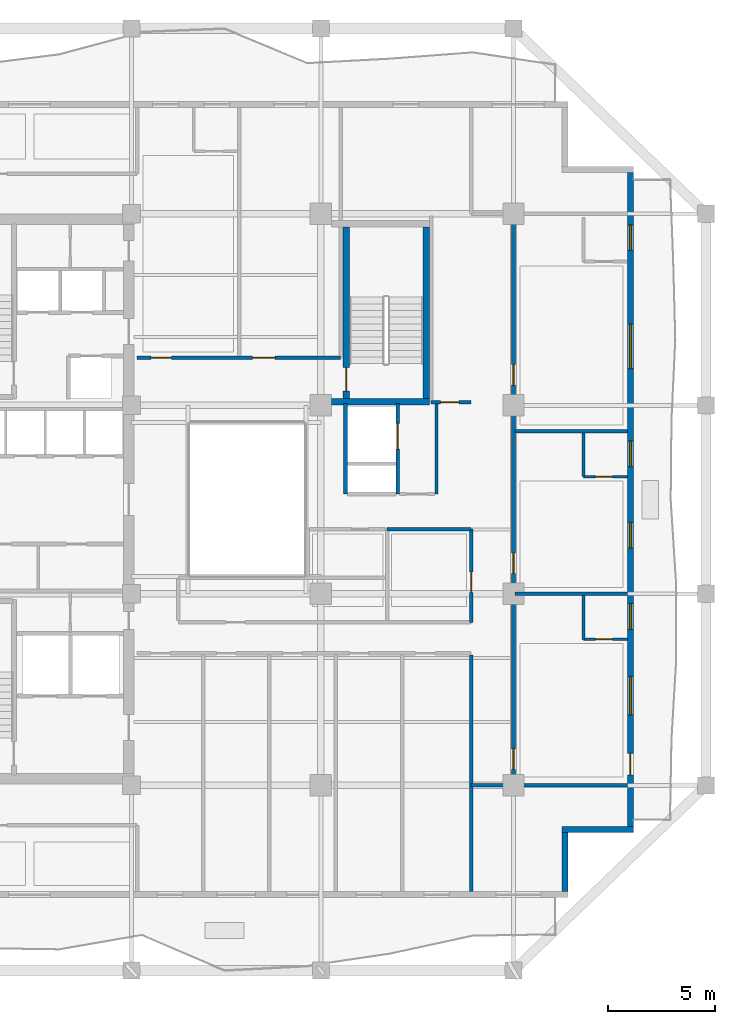
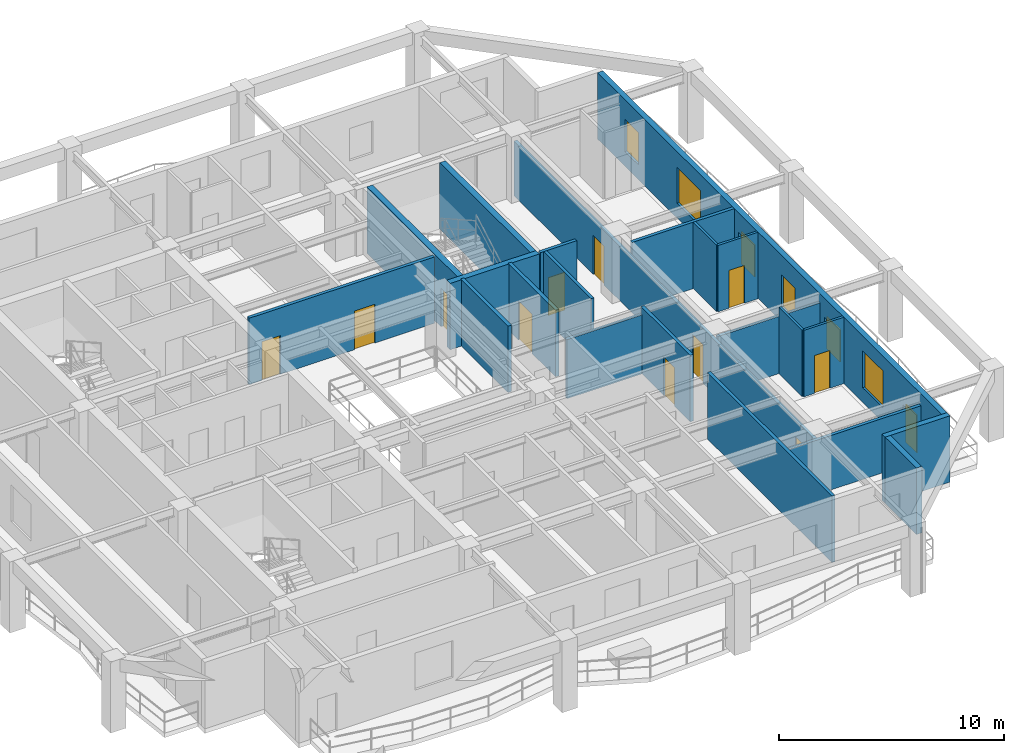
# One storey, part 5 of 11: 22 walls, 12 doors, 6 windows, 18 openings.
"""IFC4 building model written with IfcOpenShell, lengths in metres."""

from ifc_helpers import new_model, si_unit, direction, frame, frame_2d, origin, place, context, subcontext, project, spatial, rectangle, extrude, material, layer, layer_set, type_object, element, fill, save


model = new_model("IFC4")

# Units and contexts
model_context = context("Model", 3, precision=1e-05, world=origin(), true_north=direction((0.0, 1.0)))
body_context = subcontext(model_context, "Body", "Model", "MODEL_VIEW")
ifc_project = project(units=[si_unit("LENGTHUNIT", "METRE"), si_unit("AREAUNIT", "SQUARE_METRE"), si_unit("VOLUMEUNIT", "CUBIC_METRE"), si_unit("PLANEANGLEUNIT", "RADIAN"), si_unit("MASSUNIT", "GRAM", prefix="KILO")], contexts=[model_context])

# Site, building, storey
site_placement = place(None, origin())
site = spatial("IfcSite", under=ifc_project, at=site_placement, CompositionType="ELEMENT")
building_placement = place(site_placement, origin())
building = spatial("IfcBuilding", under=site, at=building_placement, Name="Kundavana Baori Tower", CompositionType="ELEMENT")
storey_placement = place(building_placement, frame((0.0, 0.0, 142.5)))
storey = spatial("IfcBuildingStorey", under=building, at=storey_placement, Name="L34", CompositionType="ELEMENT", Elevation=142.5)

# Walls
ifc_material_1 = material(Name="Red-Buff Dholpur Sandstone Cladding on Concrete C40/50", Category="masonry")
ifc_layer_1 = layer(ifc_material_1, 0.280029296875, Name="WL-EXT-SAND-280")
ifc_layer_set_1 = layer_set([ifc_layer_1], Name="Red-Buff Dholpur Sandstone Cladding on Concrete C40/50")
wall_type_1 = type_object("IfcWallType", Name="WL-EXT-SAND-280", PredefinedType="STANDARD", material=ifc_layer_set_1)
wall_1_placement = place(storey_placement, frame((45.2099609375, 10.280029296875, 0.0), z_axis=(0.0, 0.0, 1.0), x_axis=(0.0, 1.0, 0.0)))
element("IfcWall", 1, at=wall_1_placement, inside=storey, type_object=wall_type_1, Name="L34 Exterior Insulated Facade Wall 02", PredefinedType="STANDARD", context=body_context, shape_type="SweptSolid", body=[
    extrude(rectangle(XDim=2.77001953125, YDim=0.280029296875, at=frame_2d((1.385009765625, 0.0))), origin(), (0.0, 0.0, 1.0), 3.60009765625),
])
wall_2_placement = place(storey_placement, frame((45.070068359375, 13.18994140625, 0.0), z_axis=(0.0, 0.0, 1.0), x_axis=(1.0, 0.0, 0.0)))
element("IfcWall", 2, at=wall_2_placement, inside=storey, type_object=wall_type_1, Name="L34 Exterior Insulated Facade Wall 03", PredefinedType="STANDARD", context=body_context, shape_type="SweptSolid", body=[
    extrude(rectangle(XDim=3.329833984375, YDim=0.280029296875, at=frame_2d((1.6650390625, 0.0))), origin(), (0.0, 0.0, 1.0), 3.60009765625),
])

# Wall, openings, door, windows
wall_3_placement = place(storey_placement, frame((48.260009765625, 13.330078125, 0.0), z_axis=(0.0, 0.0, 1.0), x_axis=(0.0, 1.0, 0.0)))
wall_3 = element("IfcWall", 3, at=wall_3_placement, inside=storey, type_object=wall_type_1, Name="L34 Exterior Insulated Facade Wall 04", PredefinedType="STANDARD", context=body_context, shape_type="SweptSolid", body=[
    extrude(rectangle(XDim=30.5400390625, YDim=0.280029296875, at=frame_2d((15.27001953125, 0.0))), origin(), (0.0, 0.0, 1.0), 3.60009765625),
])
opening_1_placement = place(wall_3_placement, frame((2.409912109375, 0.0, 0.0)))
opening_1 = element("IfcOpeningElement", 4, at=opening_1_placement, cuts=wall_3, Name="Opening BD-1", PredefinedType="OPENING", context=body_context, shape_type="SweptSolid", body=[
    extrude(rectangle(XDim=1.0, YDim=2.050048828125, at=frame_2d((0.5, 1.02490234375))), frame((0.0, 0.14990234375, 0.0), z_axis=(0.0, -1.0, 0.0), x_axis=(1.0, 0.0, 0.0)), (0.0, 0.0, 1.0), 0.300048828125),
])
opening_2_placement = place(wall_3_placement, frame((5.205078125, 0.0, 0.800048828125)))
opening_2 = element("IfcOpeningElement", 5, at=opening_2_placement, cuts=wall_3, Name="Opening W-01", PredefinedType="OPENING", context=body_context, shape_type="SweptSolid", body=[
    extrude(rectangle(XDim=1.800048828125, YDim=2.0, at=frame_2d((0.89990234375, 1.0))), frame((0.0, 0.14990234375, 0.0), z_axis=(0.0, -1.0, 0.0), x_axis=(1.0, 0.0, 0.0)), (0.0, 0.0, 1.0), 0.300048828125),
])
opening_3_placement = place(wall_3_placement, frame((9.205078125, 0.0, 0.800048828125)))
opening_3 = element("IfcOpeningElement", 6, at=opening_3_placement, cuts=wall_3, Name="Opening W-03", PredefinedType="OPENING", context=body_context, shape_type="SweptSolid", body=[
    extrude(rectangle(XDim=1.199951171875, YDim=1.75, at=frame_2d((0.60009765625, 0.875))), frame((0.0, 0.14990234375, 0.0), z_axis=(0.0, -1.0, 0.0), x_axis=(1.0, 0.0, 0.0)), (0.0, 0.0, 1.0), 0.300048828125),
])
opening_4_placement = place(wall_3_placement, frame((13.0048828125, 0.0, 0.800048828125)))
opening_4 = element("IfcOpeningElement", 7, at=opening_4_placement, cuts=wall_3, Name="Opening W-03", PredefinedType="OPENING", context=body_context, shape_type="SweptSolid", body=[
    extrude(rectangle(XDim=1.199951171875, YDim=1.75, at=frame_2d((0.60009765625, 0.875))), frame((0.0, 0.14990234375, 0.0), z_axis=(0.0, -1.0, 0.0), x_axis=(1.0, 0.0, 0.0)), (0.0, 0.0, 1.0), 0.300048828125),
])
opening_5_placement = place(wall_3_placement, frame((16.804931640625, 0.0, 0.800048828125)))
opening_5 = element("IfcOpeningElement", 8, at=opening_5_placement, cuts=wall_3, Name="Opening W-03", PredefinedType="OPENING", context=body_context, shape_type="SweptSolid", body=[
    extrude(rectangle(XDim=1.199951171875, YDim=1.75, at=frame_2d((0.60009765625, 0.875))), frame((0.0, 0.14990234375, 0.0), z_axis=(0.0, -1.0, 0.0), x_axis=(1.0, 0.0, 0.0)), (0.0, 0.0, 1.0), 0.300048828125),
])
opening_6_placement = place(wall_3_placement, frame((21.3798828125, 0.0, 0.800048828125)))
opening_6 = element("IfcOpeningElement", 9, at=opening_6_placement, cuts=wall_3, Name="Opening W-05", PredefinedType="OPENING", context=body_context, shape_type="SweptSolid", body=[
    extrude(rectangle(XDim=2.10009765625, YDim=1.949951171875, at=frame_2d((1.050048828125, 0.97509765625))), frame((0.0, 0.14990234375, 0.0), z_axis=(0.0, -1.0, 0.0), x_axis=(1.0, 0.0, 0.0)), (0.0, 0.0, 1.0), 0.300048828125),
])
opening_7_placement = place(wall_3_placement, frame((26.905029296875, 0.0, 0.800048828125)))
opening_7 = element("IfcOpeningElement", 10, at=opening_7_placement, cuts=wall_3, Name="Opening W-03", PredefinedType="OPENING", context=body_context, shape_type="SweptSolid", body=[
    extrude(rectangle(XDim=1.199951171875, YDim=1.75, at=frame_2d((0.60009765625, 0.875))), frame((0.0, 0.14990234375, 0.0), z_axis=(0.0, -1.0, 0.0), x_axis=(1.0, 0.0, 0.0)), (0.0, 0.0, 1.0), 0.300048828125),
])
ifc_material_2 = material(Name="Architectural Patinated Bronze Metalwork")
door_type_1 = type_object("IfcDoorType", Name="DR-EXT-LOG-1000", OperationType="NOTDEFINED", PredefinedType="DOOR", material=ifc_material_2)
door_1_placement = place(opening_1_placement, frame((1.0, 0.0, 0.0), z_axis=(0.0, 0.0, 1.0), x_axis=(-1.0, 0.0, 0.0)))
door_1 = element("IfcDoor", 11, at=door_1_placement, inside=storey, type_object=door_type_1, Name="L34 Loggia Balcony Access Door E", OperationType="SINGLE_SWING_RIGHT", OverallHeight=2.050048828125, OverallWidth=1.0, PredefinedType="DOOR", context=body_context, shape_type="SweptSolid", body=[
    extrude(rectangle(XDim=1.0, YDim=2.050048828125, at=frame_2d((0.5, 1.02490234375))), frame((0.0, 0.02490234375, 0.0), z_axis=(0.0, -1.0, 0.0), x_axis=(1.0, 0.0, 0.0)), (0.0, 0.0, 1.0), 0.050048828125),
])
fill(opening_1, door_1)
ifc_material_3 = material(Name="Double-Glazed Solar-Control Low-E Insulated Glass", Category="glass")
window_type_1 = type_object("IfcWindowType", Name="WIN-LOG-1200x1750", PartitioningType="SINGLE_PANEL", PredefinedType="WINDOW", material=ifc_material_3)
window_1_placement = place(opening_3_placement, origin())
window_1 = element("IfcWindow", 12, at=window_1_placement, inside=storey, type_object=window_type_1, Name="L34 Recessed Loggia Window E-2", OverallHeight=1.75, OverallWidth=1.199951171875, PartitioningType="SINGLE_PANEL", PredefinedType="WINDOW", context=body_context, shape_type="SweptSolid", body=[
    extrude(rectangle(XDim=1.199951171875, YDim=1.75, at=frame_2d((0.60009765625, 0.875))), frame((0.0, 0.030029296875, 0.0), z_axis=(0.0, -1.0, 0.0), x_axis=(1.0, 0.0, 0.0)), (0.0, 0.0, 1.0), 0.06005859375),
])
fill(opening_3, window_1)
window_2_placement = place(opening_4_placement, origin())
window_2 = element("IfcWindow", 13, at=window_2_placement, inside=storey, type_object=window_type_1, Name="L34 Recessed Loggia Window E-3", OverallHeight=1.75, OverallWidth=1.199951171875, PartitioningType="SINGLE_PANEL", PredefinedType="WINDOW", context=body_context, shape_type="SweptSolid", body=[
    extrude(rectangle(XDim=1.199951171875, YDim=1.75, at=frame_2d((0.60009765625, 0.875))), frame((0.0, 0.030029296875, 0.0), z_axis=(0.0, -1.0, 0.0), x_axis=(1.0, 0.0, 0.0)), (0.0, 0.0, 1.0), 0.06005859375),
])
fill(opening_4, window_2)
window_3_placement = place(opening_5_placement, origin())
window_3 = element("IfcWindow", 14, at=window_3_placement, inside=storey, type_object=window_type_1, Name="L34 Recessed Loggia Window E-4", OverallHeight=1.75, OverallWidth=1.199951171875, PartitioningType="SINGLE_PANEL", PredefinedType="WINDOW", context=body_context, shape_type="SweptSolid", body=[
    extrude(rectangle(XDim=1.199951171875, YDim=1.75, at=frame_2d((0.60009765625, 0.875))), frame((0.0, 0.030029296875, 0.0), z_axis=(0.0, -1.0, 0.0), x_axis=(1.0, 0.0, 0.0)), (0.0, 0.0, 1.0), 0.06005859375),
])
fill(opening_5, window_3)
window_4_placement = place(opening_7_placement, origin())
window_4 = element("IfcWindow", 15, at=window_4_placement, inside=storey, type_object=window_type_1, Name="L34 Recessed Loggia Window E-6", OverallHeight=1.75, OverallWidth=1.199951171875, PartitioningType="SINGLE_PANEL", PredefinedType="WINDOW", context=body_context, shape_type="SweptSolid", body=[
    extrude(rectangle(XDim=1.199951171875, YDim=1.75, at=frame_2d((0.60009765625, 0.875))), frame((0.0, 0.030029296875, 0.0), z_axis=(0.0, -1.0, 0.0), x_axis=(1.0, 0.0, 0.0)), (0.0, 0.0, 1.0), 0.06005859375),
])
fill(opening_7, window_4)
ifc_material_4 = material(Name="Double-Glazed Solar-Control Low-E Insulated Glass", Category="glass")
window_type_2 = type_object("IfcWindowType", Name="WIN-LOG-1800x2000", PartitioningType="SINGLE_PANEL", PredefinedType="WINDOW", material=ifc_material_4)
window_5_placement = place(opening_2_placement, origin())
window_5 = element("IfcWindow", 16, at=window_5_placement, inside=storey, type_object=window_type_2, Name="L34 Recessed Loggia Window E-1", OverallHeight=2.0, OverallWidth=1.800048828125, PartitioningType="SINGLE_PANEL", PredefinedType="WINDOW", context=body_context, shape_type="SweptSolid", body=[
    extrude(rectangle(XDim=1.800048828125, YDim=2.0, at=frame_2d((0.89990234375, 1.0))), frame((0.0, 0.030029296875, 0.0), z_axis=(0.0, -1.0, 0.0), x_axis=(1.0, 0.0, 0.0)), (0.0, 0.0, 1.0), 0.06005859375),
])
fill(opening_2, window_5)
ifc_material_5 = material(Name="Double-Glazed Solar-Control Low-E Insulated Glass", Category="glass")
window_type_3 = type_object("IfcWindowType", Name="WIN-LOG-2100x1950", PartitioningType="SINGLE_PANEL", PredefinedType="WINDOW", material=ifc_material_5)
window_6_placement = place(opening_6_placement, origin())
window_6 = element("IfcWindow", 17, at=window_6_placement, inside=storey, type_object=window_type_3, Name="L34 Recessed Loggia Window E-5", OverallHeight=1.949951171875, OverallWidth=2.10009765625, PartitioningType="SINGLE_PANEL", PredefinedType="WINDOW", context=body_context, shape_type="SweptSolid", body=[
    extrude(rectangle(XDim=2.10009765625, YDim=1.949951171875, at=frame_2d((1.050048828125, 0.97509765625))), frame((0.0, 0.030029296875, 0.0), z_axis=(0.0, -1.0, 0.0), x_axis=(1.0, 0.0, 0.0)), (0.0, 0.0, 1.0), 0.06005859375),
])
fill(opening_6, window_6)

# Wall
ifc_material_6 = material(Name="Fire-Rated Gypsum Drywall on Galvanised Steel Studs", Category="steel")
ifc_layer_2 = layer(ifc_material_6, 0.14990234375, Name="WL-PART-150")
ifc_layer_set_2 = layer_set([ifc_layer_2], Name="Fire-Rated Gypsum Drywall on Galvanised Steel Studs")
wall_type_2 = type_object("IfcWallType", Name="WL-PART-150", PredefinedType="PARTITIONING", material=ifc_layer_set_2)
wall_4_placement = place(storey_placement, frame((39.199951171875, 28.860107421875, 0.0), z_axis=(0.0, 0.0, 1.0), x_axis=(0.0, 1.0, 0.0)))
element("IfcWall", 18, at=wall_4_placement, inside=storey, type_object=wall_type_2, Name="WL-L34-SVLOB-E", PredefinedType="PARTITIONING", context=body_context, shape_type="SweptSolid", body=[
    extrude(rectangle(XDim=4.219970703125, YDim=0.14990234375, at=frame_2d((2.10986328125, 0.0))), origin(), (0.0, 0.0, 1.0), 3.60009765625),
])

# Wall, openings, doors
ifc_material_7 = material(Name="Fire-Rated Gypsum Drywall on Galvanised Steel Studs", Category="steel")
ifc_layer_3 = layer(ifc_material_7, 0.1650390625, Name="WL-PART-165")
ifc_layer_set_3 = layer_set([ifc_layer_3], Name="Fire-Rated Gypsum Drywall on Galvanised Steel Studs")
wall_type_3 = type_object("IfcWallType", Name="WL-PART-165", PredefinedType="PARTITIONING", material=ifc_layer_set_3)
wall_5_placement = place(storey_placement, frame((25.219970703125, 35.219970703125, 0.0), z_axis=(0.0, 0.0, 1.0), x_axis=(1.0, 0.0, 0.0)))
wall_5 = element("IfcWall", 19, at=wall_5_placement, inside=storey, type_object=wall_type_3, Name="WL-L34-HN", PredefinedType="PARTITIONING", context=body_context, shape_type="SweptSolid", body=[
    extrude(rectangle(XDim=9.5, YDim=0.1650390625, at=frame_2d((4.75, 0.0))), origin(), (0.0, 0.0, 1.0), 3.60009765625),
])
opening_8_placement = place(wall_5_placement, frame((0.64990234375, 0.0, 0.0)))
opening_8 = element("IfcOpeningElement", 20, at=opening_8_placement, cuts=wall_5, Name="Opening FD-095", PredefinedType="OPENING", context=body_context, shape_type="SweptSolid", body=[
    extrude(rectangle(XDim=0.949951171875, YDim=2.10009765625, at=frame_2d((0.47509765625, 1.050048828125))), frame((0.0, 0.092529296875, 0.0), z_axis=(0.0, -1.0, 0.0), x_axis=(1.0, 0.0, 0.0)), (0.0, 0.0, 1.0), 0.18505859375),
])
opening_9_placement = place(wall_5_placement, frame((5.39990234375, 0.0, 0.0)))
opening_9 = element("IfcOpeningElement", 21, at=opening_9_placement, cuts=wall_5, Name="Opening ID-105", PredefinedType="OPENING", context=body_context, shape_type="SweptSolid", body=[
    extrude(rectangle(XDim=1.050048828125, YDim=2.10009765625, at=frame_2d((0.52490234375, 1.050048828125))), frame((0.0, 0.092529296875, 0.0), z_axis=(0.0, -1.0, 0.0), x_axis=(1.0, 0.0, 0.0)), (0.0, 0.0, 1.0), 0.18505859375),
])
ifc_material_8 = material(Name="Engineered Teak Fire-Rated Timber Door Leaf", Category="wood")
door_type_2 = type_object("IfcDoorType", Name="DR-FD60-950", OperationType="NOTDEFINED", PredefinedType="DOOR", material=ifc_material_8)
door_2_placement = place(opening_8_placement, origin())
door_2 = element("IfcDoor", 22, at=door_2_placement, inside=storey, type_object=door_type_2, Name="DR-L34-HK-N1-ENT", OperationType="SINGLE_SWING_LEFT", OverallHeight=2.10009765625, OverallWidth=0.949951171875, PredefinedType="DOOR", context=body_context, shape_type="SweptSolid", body=[
    extrude(rectangle(XDim=0.949951171875, YDim=2.10009765625, at=frame_2d((0.47509765625, 1.050048828125))), frame((0.0, 0.02490234375, 0.0), z_axis=(0.0, -1.0, 0.0), x_axis=(1.0, 0.0, 0.0)), (0.0, 0.0, 1.0), 0.050048828125),
])
fill(opening_8, door_2)
ifc_material_9 = material(Name="Engineered Teak Solid-Core Timber Veneer", Category="wood")
door_type_3 = type_object("IfcDoorType", Name="DR-INT-1050", OperationType="NOTDEFINED", PredefinedType="DOOR", material=ifc_material_9)
door_3_placement = place(opening_9_placement, origin())
door_3 = element("IfcDoor", 23, at=door_3_placement, inside=storey, type_object=door_type_3, Name="DR-L34-HLNG", OperationType="SINGLE_SWING_RIGHT", OverallHeight=2.10009765625, OverallWidth=1.050048828125, PredefinedType="DOOR", context=body_context, shape_type="SweptSolid", body=[
    extrude(rectangle(XDim=1.050048828125, YDim=2.10009765625, at=frame_2d((0.52490234375, 1.050048828125))), frame((0.0, 0.02490234375, 0.0), z_axis=(0.0, -1.0, 0.0), x_axis=(1.0, 0.0, 0.0)), (0.0, 0.0, 1.0), 0.050048828125),
])
fill(opening_9, door_3)

wall_6_placement = place(storey_placement, frame((42.800048828125, 15.25, 0.0), z_axis=(0.0, 0.0, 1.0), x_axis=(0.0, 1.0, 0.0)))
wall_6 = element("IfcWall", 24, at=wall_6_placement, inside=storey, type_object=wall_type_3, Name="WL-L34-HE", PredefinedType="PARTITIONING", context=body_context, shape_type="SweptSolid", body=[
    extrude(rectangle(XDim=26.699951171875, YDim=0.1650390625, at=frame_2d((13.35009765625, 0.0))), origin(), (0.0, 0.0, 1.0), 2.949951171875),
])
opening_10_placement = place(wall_6_placement, frame((0.75, 0.0, 0.0)))
opening_10 = element("IfcOpeningElement", 25, at=opening_10_placement, cuts=wall_6, Name="Opening FD-095", PredefinedType="OPENING", context=body_context, shape_type="SweptSolid", body=[
    extrude(rectangle(XDim=0.949951171875, YDim=2.10009765625, at=frame_2d((0.47509765625, 1.050048828125))), frame((0.0, 0.092529296875, 0.0), z_axis=(0.0, -1.0, 0.0), x_axis=(1.0, 0.0, 0.0)), (0.0, 0.0, 1.0), 0.18505859375),
])
opening_11_placement = place(wall_6_placement, frame((9.89990234375, 0.0, 0.0)))
opening_11 = element("IfcOpeningElement", 26, at=opening_11_placement, cuts=wall_6, Name="Opening FD-095", PredefinedType="OPENING", context=body_context, shape_type="SweptSolid", body=[
    extrude(rectangle(XDim=0.949951171875, YDim=2.10009765625, at=frame_2d((0.47509765625, 1.050048828125))), frame((0.0, 0.092529296875, 0.0), z_axis=(0.0, -1.0, 0.0), x_axis=(1.0, 0.0, 0.0)), (0.0, 0.0, 1.0), 0.18505859375),
])
opening_12_placement = place(wall_6_placement, frame((18.699951171875, 0.0, 0.0)))
opening_12 = element("IfcOpeningElement", 27, at=opening_12_placement, cuts=wall_6, Name="Opening FD-095", PredefinedType="OPENING", context=body_context, shape_type="SweptSolid", body=[
    extrude(rectangle(XDim=0.949951171875, YDim=2.10009765625, at=frame_2d((0.47509765625, 1.050048828125))), frame((0.0, 0.092529296875, 0.0), z_axis=(0.0, -1.0, 0.0), x_axis=(1.0, 0.0, 0.0)), (0.0, 0.0, 1.0), 0.18505859375),
])
door_4_placement = place(opening_10_placement, origin())
door_4 = element("IfcDoor", 28, at=door_4_placement, inside=storey, type_object=door_type_2, Name="DR-L34-HK-E1-ENT", OperationType="SINGLE_SWING_LEFT", OverallHeight=2.10009765625, OverallWidth=0.949951171875, PredefinedType="DOOR", context=body_context, shape_type="SweptSolid", body=[
    extrude(rectangle(XDim=0.949951171875, YDim=2.10009765625, at=frame_2d((0.47509765625, 1.050048828125))), frame((0.0, 0.02490234375, 0.0), z_axis=(0.0, -1.0, 0.0), x_axis=(1.0, 0.0, 0.0)), (0.0, 0.0, 1.0), 0.050048828125),
])
fill(opening_10, door_4)
door_5_placement = place(opening_11_placement, origin())
door_5 = element("IfcDoor", 29, at=door_5_placement, inside=storey, type_object=door_type_2, Name="DR-L34-HK-E2-ENT", OperationType="SINGLE_SWING_LEFT", OverallHeight=2.10009765625, OverallWidth=0.949951171875, PredefinedType="DOOR", context=body_context, shape_type="SweptSolid", body=[
    extrude(rectangle(XDim=0.949951171875, YDim=2.10009765625, at=frame_2d((0.47509765625, 1.050048828125))), frame((0.0, 0.02490234375, 0.0), z_axis=(0.0, -1.0, 0.0), x_axis=(1.0, 0.0, 0.0)), (0.0, 0.0, 1.0), 0.050048828125),
])
fill(opening_11, door_5)
door_6_placement = place(opening_12_placement, origin())
door_6 = element("IfcDoor", 30, at=door_6_placement, inside=storey, type_object=door_type_2, Name="DR-L34-HK-E3-ENT", OperationType="SINGLE_SWING_LEFT", OverallHeight=2.10009765625, OverallWidth=0.949951171875, PredefinedType="DOOR", context=body_context, shape_type="SweptSolid", body=[
    extrude(rectangle(XDim=0.949951171875, YDim=2.10009765625, at=frame_2d((0.47509765625, 1.050048828125))), frame((0.0, 0.02490234375, 0.0), z_axis=(0.0, -1.0, 0.0), x_axis=(1.0, 0.0, 0.0)), (0.0, 0.0, 1.0), 0.050048828125),
])
fill(opening_12, door_6)

# Wall
wall_7_placement = place(storey_placement, frame((40.820068359375, 15.25, 0.0), z_axis=(0.0, 0.0, 1.0), x_axis=(1.0, 0.0, 0.0)))
element("IfcWall", 31, at=wall_7_placement, inside=storey, type_object=wall_type_3, Name="WL-L34-HES", PredefinedType="PARTITIONING", context=body_context, shape_type="SweptSolid", body=[
    extrude(rectangle(XDim=7.300048828125, YDim=0.1650390625, at=frame_2d((3.64990234375, 0.0))), origin(), (0.0, 0.0, 1.0), 2.949951171875),
])

# Wall, opening, door
wall_8_placement = place(storey_placement, frame((40.820068359375, 22.860107421875, 0.0), z_axis=(0.0, 0.0, 1.0), x_axis=(0.0, 1.0, 0.0)))
wall_8 = element("IfcWall", 32, at=wall_8_placement, inside=storey, type_object=wall_type_3, Name="WL-L34-HEW", PredefinedType="PARTITIONING", context=body_context, shape_type="SweptSolid", body=[
    extrude(rectangle(XDim=4.35986328125, YDim=0.1650390625, at=frame_2d((2.179931640625, 0.0))), origin(), (0.0, 0.0, 1.0), 3.60009765625),
])
opening_13_placement = place(wall_8_placement, frame((1.39990234375, 0.0, 0.0)))
opening_13 = element("IfcOpeningElement", 33, at=opening_13_placement, cuts=wall_8, Name="Opening FD-095", PredefinedType="OPENING", context=body_context, shape_type="SweptSolid", body=[
    extrude(rectangle(XDim=0.949951171875, YDim=2.10009765625, at=frame_2d((0.47509765625, 1.050048828125))), frame((0.0, 0.092529296875, 0.0), z_axis=(0.0, -1.0, 0.0), x_axis=(1.0, 0.0, 0.0)), (0.0, 0.0, 1.0), 0.18505859375),
])
door_7_placement = place(opening_13_placement, frame((0.949951171875, 0.0, 0.0), z_axis=(0.0, 0.0, 1.0), x_axis=(-1.0, 0.0, 0.0)))
door_7 = element("IfcDoor", 34, at=door_7_placement, inside=storey, type_object=door_type_2, Name="DR-L34-HSK", OperationType="SINGLE_SWING_RIGHT", OverallHeight=2.10009765625, OverallWidth=0.949951171875, PredefinedType="DOOR", context=body_context, shape_type="SweptSolid", body=[
    extrude(rectangle(XDim=0.949951171875, YDim=2.10009765625, at=frame_2d((0.47509765625, 1.050048828125))), frame((0.0, 0.02490234375, 0.0), z_axis=(0.0, -1.0, 0.0), x_axis=(1.0, 0.0, 0.0)), (0.0, 0.0, 1.0), 0.050048828125),
])
fill(opening_13, door_7)

# Walls
wall_9_placement = place(storey_placement, frame((36.89990234375, 27.219970703125, 0.0), z_axis=(0.0, 0.0, 1.0), x_axis=(1.0, 0.0, 0.0)))
element("IfcWall", 35, at=wall_9_placement, inside=storey, type_object=wall_type_3, Name="WL-L34-HKN", PredefinedType="PARTITIONING", context=body_context, shape_type="SweptSolid", body=[
    extrude(rectangle(XDim=3.920166015625, YDim=0.1650390625, at=frame_2d((1.9599609375, 0.0))), origin(), (0.0, 0.0, 1.0), 3.199951171875),
])
wall_10_placement = place(storey_placement, frame((40.820068359375, 10.280029296875, 0.0), z_axis=(0.0, 0.0, 1.0), x_axis=(0.0, 1.0, 0.0)))
element("IfcWall", 36, at=wall_10_placement, inside=storey, type_object=wall_type_3, Name="WL-L34-HSEND", PredefinedType="PARTITIONING", context=body_context, shape_type="SweptSolid", body=[
    extrude(rectangle(XDim=11.06005859375, YDim=0.1650390625, at=frame_2d((5.530029296875, 0.0))), origin(), (0.0, 0.0, 1.0), 3.60009765625),
])
wall_11_placement = place(storey_placement, frame((42.8798828125, 24.199951171875, 0.0), z_axis=(0.0, 0.0, 1.0), x_axis=(1.0, 0.0, 0.0)))
element("IfcWall", 37, at=wall_11_placement, inside=storey, type_object=wall_type_3, Name="WL-L34-HED1", PredefinedType="PARTITIONING", context=body_context, shape_type="SweptSolid", body=[
    extrude(rectangle(XDim=5.240234375, YDim=0.1650390625, at=frame_2d((2.6201171875, 0.0))), origin(), (0.0, 0.0, 1.0), 3.10009765625),
])
wall_12_placement = place(storey_placement, frame((42.8798828125, 31.800048828125, 0.0), z_axis=(0.0, 0.0, 1.0), x_axis=(1.0, 0.0, 0.0)))
element("IfcWall", 38, at=wall_12_placement, inside=storey, type_object=wall_type_3, Name="WL-L34-HED2", PredefinedType="PARTITIONING", context=body_context, shape_type="SweptSolid", body=[
    extrude(rectangle(XDim=5.240234375, YDim=0.1650390625, at=frame_2d((2.6201171875, 0.0))), origin(), (0.0, 0.0, 1.0), 3.60009765625),
])

# Wall, opening, door
wall_13_placement = place(storey_placement, frame((38.949951171875, 33.14990234375, 0.0), z_axis=(0.0, 0.0, 1.0), x_axis=(1.0, 0.0, 0.0)))
wall_13 = element("IfcWall", 39, at=wall_13_placement, inside=storey, type_object=wall_type_3, Name="WL-L34-HNES", PredefinedType="PARTITIONING", context=body_context, shape_type="SweptSolid", body=[
    extrude(rectangle(XDim=1.8701171875, YDim=0.1650390625, at=frame_2d((0.93505859375, 0.0))), origin(), (0.0, 0.0, 1.0), 3.60009765625),
])
opening_14_placement = place(wall_13_placement, frame((0.449951171875, 0.0, 0.0)))
opening_14 = element("IfcOpeningElement", 40, at=opening_14_placement, cuts=wall_13, Name="Opening WD-085", PredefinedType="OPENING", context=body_context, shape_type="SweptSolid", body=[
    extrude(rectangle(XDim=0.85009765625, YDim=2.050048828125, at=frame_2d((0.425048828125, 1.02490234375))), frame((0.0, 0.092529296875, 0.0), z_axis=(0.0, -1.0, 0.0), x_axis=(1.0, 0.0, 0.0)), (0.0, 0.0, 1.0), 0.18505859375),
])
ifc_material_10 = material(Name="Engineered Teak Solid-Core Timber Veneer", Category="wood")
door_type_4 = type_object("IfcDoorType", Name="DR-WET-850", OperationType="NOTDEFINED", PredefinedType="DOOR", material=ifc_material_10)
door_8_placement = place(opening_14_placement, origin())
door_8 = element("IfcDoor", 41, at=door_8_placement, inside=storey, type_object=door_type_4, Name="DR-L34-HLNE", OperationType="SINGLE_SWING_LEFT", OverallHeight=2.050048828125, OverallWidth=0.85009765625, PredefinedType="DOOR", context=body_context, shape_type="SweptSolid", body=[
    extrude(rectangle(XDim=0.85009765625, YDim=2.050048828125, at=frame_2d((0.425048828125, 1.02490234375))), frame((0.0, 0.02490234375, 0.0), z_axis=(0.0, -1.0, 0.0), x_axis=(1.0, 0.0, 0.0)), (0.0, 0.0, 1.0), 0.050048828125),
])
fill(opening_14, door_8)

# Wall
ifc_material_11 = material(Name="Autoclaved Aerated Concrete Blockwork Masonry", Category="masonry")
ifc_layer_4 = layer(ifc_material_11, 0.179931640625, Name="WL-SHAFT-180")
ifc_layer_set_4 = layer_set([ifc_layer_4], Name="Autoclaved Aerated Concrete Blockwork Masonry")
wall_type_4 = type_object("IfcWallType", Name="WL-SHAFT-180", PredefinedType="SOLIDWALL", material=ifc_layer_set_4)
wall_14_placement = place(storey_placement, frame((34.9599609375, 28.860107421875, 0.0), z_axis=(0.0, 0.0, 1.0), x_axis=(0.0, 1.0, 0.0)))
element("IfcWall", 42, at=wall_14_placement, inside=storey, type_object=wall_type_4, Name="WL-L34-SVL-W", PredefinedType="SOLIDWALL", context=body_context, shape_type="SweptSolid", body=[
    extrude(rectangle(XDim=4.219970703125, YDim=0.179931640625, at=frame_2d((2.10986328125, 0.0))), origin(), (0.0, 0.0, 1.0), 3.60009765625),
])

# Wall, opening, door
wall_15_placement = place(storey_placement, frame((37.389892578125, 28.860107421875, 0.0), z_axis=(0.0, 0.0, 1.0), x_axis=(0.0, 1.0, 0.0)))
wall_15 = element("IfcWall", 43, at=wall_15_placement, inside=storey, type_object=wall_type_4, Name="WL-L34-SVL-E", PredefinedType="SOLIDWALL", context=body_context, shape_type="SweptSolid", body=[
    extrude(rectangle(XDim=4.219970703125, YDim=0.179931640625, at=frame_2d((2.10986328125, 0.0))), origin(), (0.0, 0.0, 1.0), 3.60009765625),
])
opening_15_placement = place(wall_15_placement, frame((2.10009765625, 0.0, 0.0)))
opening_15 = element("IfcOpeningElement", 44, at=opening_15_placement, cuts=wall_15, Name="Opening LD-120", PredefinedType="OPENING", context=body_context, shape_type="SweptSolid", body=[
    extrude(rectangle(XDim=1.199951171875, YDim=2.1201171875, at=frame_2d((0.60009765625, 1.06005859375))), frame((0.0, 0.10009765625, 0.0), z_axis=(0.0, -1.0, 0.0), x_axis=(1.0, 0.0, 0.0)), (0.0, 0.0, 1.0), 0.199951171875),
])
ifc_material_12 = material(Name="Galvanised Steel Fire-Rated Door Leaf", Category="steel")
door_type_5 = type_object("IfcDoorType", Name="DR-SLIDE-LD1200", OperationType="NOTDEFINED", PredefinedType="DOOR", material=ifc_material_12)
door_9_placement = place(opening_15_placement, frame((1.199951171875, 0.0, 0.0), z_axis=(0.0, 0.0, 1.0), x_axis=(-1.0, 0.0, 0.0)))
door_9 = element("IfcDoor", 45, at=door_9_placement, inside=storey, type_object=door_type_5, Name="DR-L34-LD-SVL1", OperationType="DOUBLE_DOOR_SLIDING", OverallHeight=2.1201171875, OverallWidth=1.199951171875, PredefinedType="DOOR", context=body_context, shape_type="SweptSolid", body=[
    extrude(rectangle(XDim=1.199951171875, YDim=2.1201171875, at=frame_2d((0.60009765625, 1.06005859375))), frame((0.0, 0.02490234375, 0.0), z_axis=(0.0, -1.0, 0.0), x_axis=(1.0, 0.0, 0.0)), (0.0, 0.0, 1.0), 0.050048828125),
])
fill(opening_15, door_9)

# Wall
ifc_material_13 = material(Name="Concrete C50/60", Category="concrete")
ifc_layer_5 = layer(ifc_material_13, 0.300048828125, Name="WL-ST3-300")
ifc_layer_set_5 = layer_set([ifc_layer_5], Name="Concrete C50/60")
wall_type_5 = type_object("IfcWallType", Name="WL-ST3-300", PredefinedType="SHEAR", material=ifc_layer_set_5)
wall_16_placement = place(storey_placement, frame((34.300048828125, 33.159912109375, 0.0), z_axis=(0.0, 0.0, 1.0), x_axis=(1.0, 0.0, 0.0)))
element("IfcWall", 46, at=wall_16_placement, inside=storey, type_object=wall_type_5, Name="L34 Stair ST3 South Shear Wall", PredefinedType="SHEAR", context=body_context, shape_type="SweptSolid", body=[
    extrude(rectangle(XDim=4.570068359375, YDim=0.300048828125, at=frame_2d((2.28515625, 0.0))), origin(), (0.0, 0.0, 1.0), 3.60009765625),
])

# Wall, opening, door
wall_17_placement = place(storey_placement, frame((34.97998046875, 33.31005859375, 0.0), z_axis=(0.0, 0.0, 1.0), x_axis=(0.0, 1.0, 0.0)))
wall_17 = element("IfcWall", 47, at=wall_17_placement, inside=storey, type_object=wall_type_5, Name="L34 Stair ST3 West Shear Wall", PredefinedType="SHEAR", context=body_context, shape_type="SweptSolid", body=[
    extrude(rectangle(XDim=8.030029296875, YDim=0.300048828125, at=frame_2d((4.01513671875, 0.0))), origin(), (0.0, 0.0, 1.0), 3.60009765625),
])
opening_16_placement = place(wall_17_placement, frame((0.35009765625, 0.0, 0.0)))
opening_16 = element("IfcOpeningElement", 48, at=opening_16_placement, cuts=wall_17, Name="Opening FD-110", PredefinedType="OPENING", context=body_context, shape_type="SweptSolid", body=[
    extrude(rectangle(XDim=1.10009765625, YDim=2.10009765625, at=frame_2d((0.550048828125, 1.050048828125))), frame((0.0, 0.16015625, 0.0), z_axis=(0.0, -1.0, 0.0), x_axis=(1.0, 0.0, 0.0)), (0.0, 0.0, 1.0), 0.320068359375),
])
ifc_material_14 = material(Name="Galvanised Steel Fire-Rated Door Leaf", Category="steel")
door_type_6 = type_object("IfcDoorType", Name="DR-FD120-1100", OperationType="NOTDEFINED", PredefinedType="DOOR", material=ifc_material_14)
door_10_placement = place(opening_16_placement, origin())
door_10 = element("IfcDoor", 49, at=door_10_placement, inside=storey, type_object=door_type_6, Name="DR-L34-ST3-W", OperationType="SINGLE_SWING_LEFT", OverallHeight=2.10009765625, OverallWidth=1.10009765625, PredefinedType="DOOR", context=body_context, shape_type="SweptSolid", body=[
    extrude(rectangle(XDim=1.10009765625, YDim=2.10009765625, at=frame_2d((0.550048828125, 1.050048828125))), frame((0.0, 0.02490234375, 0.0), z_axis=(0.0, -1.0, 0.0), x_axis=(1.0, 0.0, 0.0)), (0.0, 0.0, 1.0), 0.050048828125),
])
fill(opening_16, door_10)

# Walls
wall_18_placement = place(storey_placement, frame((38.719970703125, 33.31005859375, 0.0), z_axis=(0.0, 0.0, 1.0), x_axis=(0.0, 1.0, 0.0)))
element("IfcWall", 50, at=wall_18_placement, inside=storey, type_object=wall_type_5, Name="L34 Stair ST3 East Shear Wall", PredefinedType="SHEAR", context=body_context, shape_type="SweptSolid", body=[
    extrude(rectangle(XDim=8.030029296875, YDim=0.300048828125, at=frame_2d((4.01513671875, 0.0))), origin(), (0.0, 0.0, 1.0), 3.60009765625),
])
ifc_material_15 = material(Name="Autoclaved Aerated Concrete Blockwork Masonry", Category="masonry")
ifc_layer_6 = layer(ifc_material_15, 0.125, Name="WL-WET-120")
ifc_layer_set_6 = layer_set([ifc_layer_6], Name="Autoclaved Aerated Concrete Blockwork Masonry")
wall_type_6 = type_object("IfcWallType", Name="WL-WET-120", PredefinedType="PLUMBINGWALL", material=ifc_layer_set_6)
wall_19_placement = place(storey_placement, frame((46.070068359375, 22.070068359375, 0.0), z_axis=(0.0, 0.0, 1.0), x_axis=(0.0, 1.0, 0.0)))
element("IfcWall", 51, at=wall_19_placement, inside=storey, type_object=wall_type_6, Name="WL-L34-HK-E1-BW", PredefinedType="PLUMBINGWALL", context=body_context, shape_type="SweptSolid", body=[
    extrude(rectangle(XDim=2.050048828125, YDim=0.125, at=frame_2d((1.02490234375, 0.0))), origin(), (0.0, 0.0, 1.0), 3.60009765625),
])

# Wall, opening, door
wall_20_placement = place(storey_placement, frame((46.070068359375, 22.070068359375, 0.0), z_axis=(0.0, 0.0, 1.0), x_axis=(1.0, 0.0, 0.0)))
wall_20 = element("IfcWall", 52, at=wall_20_placement, inside=storey, type_object=wall_type_6, Name="WL-L34-HK-E1-BS", PredefinedType="PLUMBINGWALL", context=body_context, shape_type="SweptSolid", body=[
    extrude(rectangle(XDim=2.050048828125, YDim=0.125, at=frame_2d((1.02490234375, 0.0))), origin(), (0.0, 0.0, 1.0), 3.60009765625),
])
opening_17_placement = place(wall_20_placement, frame((0.550048828125, 0.0, 0.0)))
opening_17 = element("IfcOpeningElement", 53, at=opening_17_placement, cuts=wall_20, Name="Opening WD-080", PredefinedType="OPENING", context=body_context, shape_type="SweptSolid", body=[
    extrude(rectangle(XDim=0.800048828125, YDim=2.050048828125, at=frame_2d((0.39990234375, 1.02490234375))), frame((0.0, 0.072509765625, 0.0), z_axis=(0.0, -1.0, 0.0), x_axis=(1.0, 0.0, 0.0)), (0.0, 0.0, 1.0), 0.14501953125),
])
ifc_material_16 = material(Name="Engineered Teak Solid-Core Timber Veneer", Category="wood")
door_type_7 = type_object("IfcDoorType", Name="DR-WET-800", OperationType="NOTDEFINED", PredefinedType="DOOR", material=ifc_material_16)
door_11_placement = place(opening_17_placement, frame((0.800048828125, 0.0, 0.0), z_axis=(0.0, 0.0, 1.0), x_axis=(-1.0, 0.0, 0.0)))
door_11 = element("IfcDoor", 54, at=door_11_placement, inside=storey, type_object=door_type_7, Name="DR-L34-HK-E1-ENS", OperationType="SINGLE_SWING_LEFT", OverallHeight=2.050048828125, OverallWidth=0.800048828125, PredefinedType="DOOR", context=body_context, shape_type="SweptSolid", body=[
    extrude(rectangle(XDim=0.800048828125, YDim=2.050048828125, at=frame_2d((0.39990234375, 1.02490234375))), frame((0.0, 0.02490234375, 0.0), z_axis=(0.0, -1.0, 0.0), x_axis=(1.0, 0.0, 0.0)), (0.0, 0.0, 1.0), 0.050048828125),
])
fill(opening_17, door_11)

# Wall
wall_21_placement = place(storey_placement, frame((46.070068359375, 29.669921875, 0.0), z_axis=(0.0, 0.0, 1.0), x_axis=(0.0, 1.0, 0.0)))
element("IfcWall", 55, at=wall_21_placement, inside=storey, type_object=wall_type_6, Name="WL-L34-HK-E2-BW", PredefinedType="PLUMBINGWALL", context=body_context, shape_type="SweptSolid", body=[
    extrude(rectangle(XDim=2.050048828125, YDim=0.125, at=frame_2d((1.02490234375, 0.0))), origin(), (0.0, 0.0, 1.0), 3.60009765625),
])

# Wall, opening, door
wall_22_placement = place(storey_placement, frame((46.070068359375, 29.669921875, 0.0), z_axis=(0.0, 0.0, 1.0), x_axis=(1.0, 0.0, 0.0)))
wall_22 = element("IfcWall", 56, at=wall_22_placement, inside=storey, type_object=wall_type_6, Name="WL-L34-HK-E2-BS", PredefinedType="PLUMBINGWALL", context=body_context, shape_type="SweptSolid", body=[
    extrude(rectangle(XDim=2.050048828125, YDim=0.125, at=frame_2d((1.02490234375, 0.0))), origin(), (0.0, 0.0, 1.0), 3.60009765625),
])
opening_18_placement = place(wall_22_placement, frame((0.550048828125, 0.0, 0.0)))
opening_18 = element("IfcOpeningElement", 57, at=opening_18_placement, cuts=wall_22, Name="Opening WD-080", PredefinedType="OPENING", context=body_context, shape_type="SweptSolid", body=[
    extrude(rectangle(XDim=0.800048828125, YDim=2.050048828125, at=frame_2d((0.39990234375, 1.02490234375))), frame((0.0, 0.072509765625, 0.0), z_axis=(0.0, -1.0, 0.0), x_axis=(1.0, 0.0, 0.0)), (0.0, 0.0, 1.0), 0.14501953125),
])
door_12_placement = place(opening_18_placement, frame((0.800048828125, 0.0, 0.0), z_axis=(0.0, 0.0, 1.0), x_axis=(-1.0, 0.0, 0.0)))
door_12 = element("IfcDoor", 58, at=door_12_placement, inside=storey, type_object=door_type_7, Name="DR-L34-HK-E2-ENS", OperationType="SINGLE_SWING_LEFT", OverallHeight=2.050048828125, OverallWidth=0.800048828125, PredefinedType="DOOR", context=body_context, shape_type="SweptSolid", body=[
    extrude(rectangle(XDim=0.800048828125, YDim=2.050048828125, at=frame_2d((0.39990234375, 1.02490234375))), frame((0.0, 0.02490234375, 0.0), z_axis=(0.0, -1.0, 0.0), x_axis=(1.0, 0.0, 0.0)), (0.0, 0.0, 1.0), 0.050048828125),
])
fill(opening_18, door_12)

save(model, "model.ifc")
